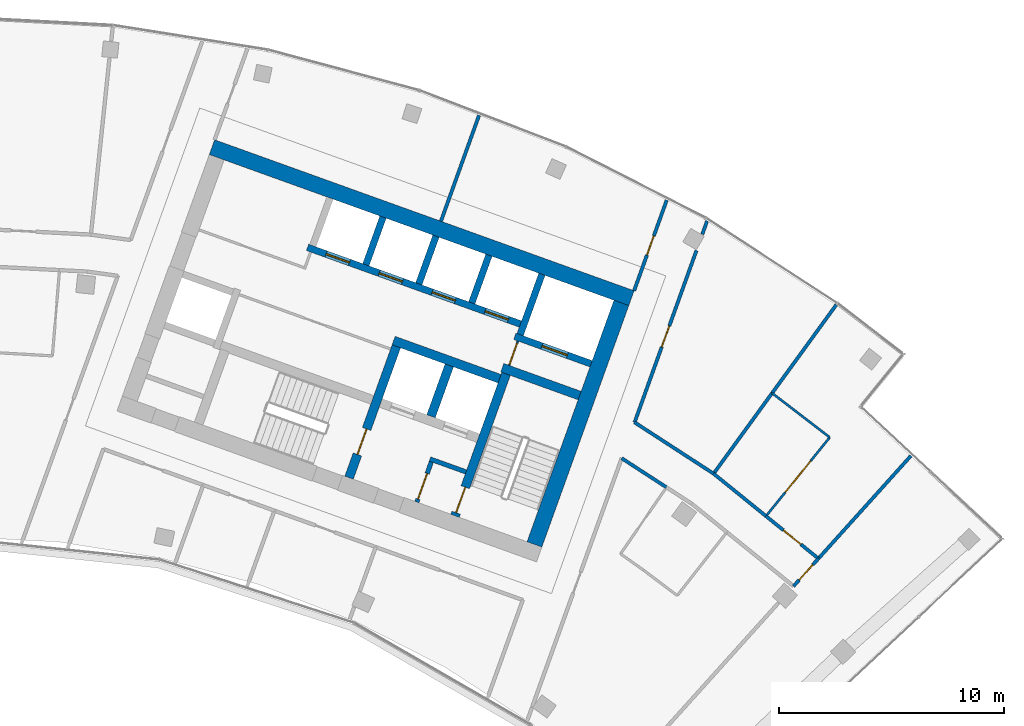
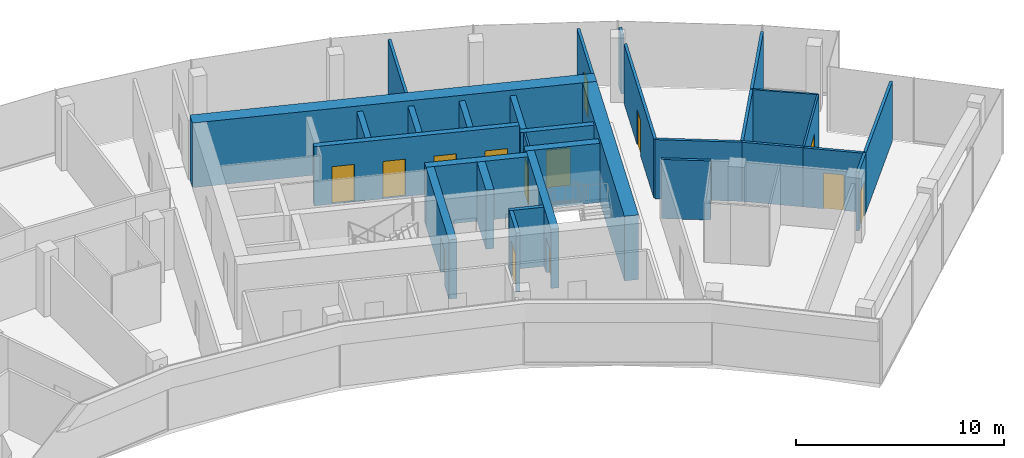
# One storey, part 16 of 18: 30 walls, 14 doors, 14 openings.
"""IFC4 building model written with IfcOpenShell, lengths in metres."""

import ifcopenshell
import ifcopenshell.guid

model = None  # the IFC model being written
_history = None  # IfcOwnerHistory: only IFC2X3 demands one
_inside = {}  # id of a spatial element -> (the spatial element, [elements in it])
_under = {}  # id of a project, library or spatial element -> (it, [spatial elements below it])
_declared = {}  # id of a project -> (the project, [libraries it declares])
_typed = {}  # id of a type object -> (the type object, [elements of that type])
_made_of = {}  # id of a material, layer set ... -> (it, [elements and type objects made of it])


def new_model(schema):
    """Start an empty IFC model of exactly this schema.

    Asked for "IFC4X3", IfcOpenShell would pick the latest addendum, in which some entities
    have other attributes; the version numbers below select the first issue.
    IFC2X3 requires an IfcOwnerHistory on every rooted entity: one is made here for all.
    """
    global model, _history
    if schema == "IFC4X3":
        model = ifcopenshell.file(schema_version=(4, 3, 0, 0))
    else:
        model = ifcopenshell.file(schema=schema)
    _inside.clear()
    _under.clear()
    _declared.clear()
    _typed.clear()
    _made_of.clear()
    _history = None
    if model.schema == "IFC2X3":
        org = make("IfcOrganization", Name="unknown")
        user = make(
            "IfcPersonAndOrganization",
            ThePerson=make("IfcPerson", FamilyName="unknown"),
            TheOrganization=org,
        )
        app = make(
            "IfcApplication",
            ApplicationDeveloper=org,
            Version="unknown",
            ApplicationFullName="unknown",
            ApplicationIdentifier="unknown",
        )
        _history = make(
            "IfcOwnerHistory",
            OwningUser=user,
            OwningApplication=app,
            ChangeAction="ADDED",
            CreationDate=0,
        )
    return model


def make(cls, **values):
    """One entity of the class cls with the attributes given. An attribute that is None is left unset."""
    return model.create_entity(
        cls, **{name: value for name, value in values.items() if value is not None}
    )


def rooted(cls, **values):
    """An entity with a GlobalId (a new one), such as an element, a storey or a relation."""
    return make(cls, GlobalId=ifcopenshell.guid.new(), OwnerHistory=_history, **values)


def si_unit(unit_type, name, prefix=None):
    """IfcSIUnit, for example si_unit("LENGTHUNIT", "METRE", prefix="MILLI")."""
    return make("IfcSIUnit", UnitType=unit_type, Prefix=prefix, Name=name)


def assignment(units):
    """IfcUnitAssignment: the units of a project."""
    return None if units is None else make("IfcUnitAssignment", Units=units)


def point(xyz):
    """IfcCartesianPoint."""
    return None if xyz is None else make("IfcCartesianPoint", Coordinates=xyz)


def direction(xyz):
    """IfcDirection."""
    return None if xyz is None else make("IfcDirection", DirectionRatios=xyz)


def frame(location, z_axis=None, x_axis=None):
    """IfcAxis2Placement3D, a coordinate frame: its origin and axes. An axis left out is left unset."""
    return make(
        "IfcAxis2Placement3D",
        Location=point(location),
        Axis=direction(z_axis),
        RefDirection=direction(x_axis),
    )


def frame_2d(location, x_axis=None):
    """IfcAxis2Placement2D, a coordinate frame in the plane: its origin and x axis."""
    return make(
        "IfcAxis2Placement2D", Location=point(location), RefDirection=direction(x_axis)
    )


def origin():
    """The frame at (0, 0, 0) with its axes left unset."""
    return frame((0.0, 0.0, 0.0))


def place(relative_to, where):
    """IfcLocalPlacement: puts the frame where relative to a parent placement (None: the world)."""
    return make(
        "IfcLocalPlacement", PlacementRelTo=relative_to, RelativePlacement=where
    )


def context(
    kind, dimensions, precision=None, world=None, true_north=None, identifier=None
):
    """IfcGeometricRepresentationContext, for example the 3D "Model" context."""
    return make(
        "IfcGeometricRepresentationContext",
        ContextIdentifier=identifier,
        ContextType=kind,
        CoordinateSpaceDimension=dimensions,
        Precision=precision,
        WorldCoordinateSystem=world,
        TrueNorth=true_north,
    )


def subcontext(parent, identifier, kind, view, scale=None):
    """IfcGeometricRepresentationSubContext, for example "Body" below "Model"."""
    return make(
        "IfcGeometricRepresentationSubContext",
        ContextIdentifier=identifier,
        ContextType=kind,
        ParentContext=parent,
        TargetScale=scale,
        TargetView=view,
    )


def project(units=None, contexts=None):
    """IfcProject with its units and contexts."""
    return rooted(
        "IfcProject",
        Name="project",
        RepresentationContexts=contexts,
        UnitsInContext=assignment(units),
    )


def spatial(cls, under=None, at=None, **own):
    """A site, building, storey or space (cls), placed at a placement, below another one or the project."""
    s = rooted(cls, ObjectPlacement=at, **own)
    if under is not None:
        _under.setdefault(under.id(), (under, []))[1].append(s)
    return s


def profile(cls, at=None, kind="AREA", **sizes):
    """A parametric profile (cls). Its sizes go by their IFC names, for example OverallWidth=200.0."""
    return make(cls, ProfileType=kind, Position=at, **sizes)


def rectangle(**sizes):
    """IfcRectangleProfileDef."""
    return profile("IfcRectangleProfileDef", **sizes)


def extrude(swept, where, along, depth):
    """IfcExtrudedAreaSolid: the profile swept, set in the frame where, extruded along a direction by depth."""
    return make(
        "IfcExtrudedAreaSolid",
        SweptArea=swept,
        Position=where,
        ExtrudedDirection=direction(along),
        Depth=depth,
    )


def shape(context_of_items, identifier, shape_type, items):
    """IfcShapeRepresentation: the items that make up one representation, for example the "Body"."""
    return make(
        "IfcShapeRepresentation",
        ContextOfItems=context_of_items,
        RepresentationIdentifier=identifier,
        RepresentationType=shape_type,
        Items=items,
    )


def material(Name=None, Category=None):
    """IfcMaterial."""
    return make("IfcMaterial", Name=Name, Category=Category)


def layer(
    of_material, thickness, ventilated=None, Name=None, Category=None, Priority=None
):
    """IfcMaterialLayer: one layer of a wall or slab, of a material (None: an air gap)."""
    return make(
        "IfcMaterialLayer",
        Material=of_material,
        LayerThickness=thickness,
        IsVentilated=ventilated,
        Name=Name,
        Category=Category,
        Priority=Priority,
    )


def layer_set(layers, Name=None):
    """IfcMaterialLayerSet."""
    return make("IfcMaterialLayerSet", MaterialLayers=layers, LayerSetName=Name)


def made_of(thing, what):
    """Note that an element or type object is made of a material, layer set ...; save() writes the relation."""
    if what is not None:
        _made_of.setdefault(what.id(), (what, []))[1].append(thing)
    return thing


def type_object(cls, material=None, **own):
    """A type object (cls), such as IfcWallType, which elements share."""
    return made_of(rooted(cls, **own), material)


def element(
    cls,
    number,
    at=None,
    inside=None,
    cuts=None,
    type_object=None,
    material=None,
    context=None,
    identifier="Body",
    shape_type=None,
    held_by="IfcProductDefinitionShape",
    body=None,
    shapes=None,
    **own,
):
    """One element of the class cls, such as IfcWall. Its Tag is "e" and its number.

    at: its placement. inside: the storey or other place that contains it. cuts: it is an
    opening in that element (IfcRelVoidsElement). A single representation is given by context,
    identifier, shape_type and body (its items); several are given by shapes. held_by: the class
    of the entity that holds the representations. save() writes the other relations.
    """
    e = rooted(cls, Tag="e%d" % number, ObjectPlacement=at, **own)
    if body is not None:
        shapes = [shape(context, identifier, shape_type, body)]
    if shapes is not None:
        e.Representation = make(held_by, Representations=shapes)
    if inside is not None:
        _inside.setdefault(inside.id(), (inside, []))[1].append(e)
    if cuts is not None:
        rooted(
            "IfcRelVoidsElement", RelatingBuildingElement=cuts, RelatedOpeningElement=e
        )
    if type_object is not None:
        _typed.setdefault(type_object.id(), (type_object, []))[1].append(e)
    return made_of(e, material)


def fill(opening, filler):
    """IfcRelFillsElement: the door or window that sits in an opening."""
    return rooted(
        "IfcRelFillsElement",
        RelatingOpeningElement=opening,
        RelatedBuildingElement=filler,
    )


def aggregate(whole, parts):
    """IfcRelAggregates: a whole, such as a stair, and the parts it consists of."""
    return rooted("IfcRelAggregates", RelatingObject=whole, RelatedObjects=parts)


def save(model, path):
    """Write the relations noted so far, then the file.

    IfcRelAggregates (storeys below a building ...), IfcRelContainedInSpatialStructure (elements
    in a storey), IfcRelDefinesByType, IfcRelAssociatesMaterial and IfcRelDeclares: one each for
    every whole, place, type object, material and project.
    """
    for whole, parts in _under.values():
        aggregate(whole, parts)
    for where, things in _inside.values():
        rooted(
            "IfcRelContainedInSpatialStructure",
            RelatedElements=things,
            RelatingStructure=where,
        )
    for kind, things in _typed.values():
        rooted("IfcRelDefinesByType", RelatedObjects=things, RelatingType=kind)
    for what, things in _made_of.values():
        rooted("IfcRelAssociatesMaterial", RelatedObjects=things, RelatingMaterial=what)
    for by, libraries in _declared.values():
        rooted("IfcRelDeclares", RelatingContext=by, RelatedDefinitions=libraries)
    model.write(path)


model = new_model("IFC4")

# Units and contexts
model_context = context("Model", 3, precision=1e-05, world=origin(), true_north=direction((0.0, 1.0)))
body_context = subcontext(model_context, "Body", "Model", "MODEL_VIEW")
ifc_project = project(units=[si_unit("LENGTHUNIT", "METRE"), si_unit("AREAUNIT", "SQUARE_METRE"), si_unit("VOLUMEUNIT", "CUBIC_METRE"), si_unit("PLANEANGLEUNIT", "RADIAN"), si_unit("MASSUNIT", "GRAM", prefix="KILO")], contexts=[model_context])

# Site, building, storey
site_placement = place(None, origin())
site = spatial("IfcSite", under=ifc_project, at=site_placement, CompositionType="ELEMENT")
building_placement = place(site_placement, origin())
building = spatial("IfcBuilding", under=site, at=building_placement, Name="Stone Belt Terrace Tower", CompositionType="ELEMENT")
storey_placement = place(building_placement, frame((0.0, 0.0, 299.800048828125)))
storey = spatial("IfcBuildingStorey", under=building, at=storey_placement, Name="L73", CompositionType="ELEMENT", Elevation=299.800048828125)

# Wall, opening, door
ifc_material_1 = material(Name="Plasterboard partition")
ifc_layer_1 = layer(ifc_material_1, 0.10009765625)
ifc_layer_set_1 = layer_set([ifc_layer_1], Name="Core partition 100")
wall_type_1 = type_object("IfcWallType", Name="Core partition 100", PredefinedType="PARTITIONING", material=ifc_layer_set_1)
wall_1_placement = place(storey_placement, frame((24.555908203125, 51.10400390625, 0.0), z_axis=(0.0, 0.0, 1.0), x_axis=(0.338621735342, 0.94092258999, 0.0)))
wall_1 = element("IfcWall", 1, at=wall_1_placement, inside=storey, type_object=wall_type_1, Name="Core B wall", PredefinedType="PARTITIONING", context=body_context, shape_type="SweptSolid", body=[
    extrude(rectangle(XDim=1.14990234375, YDim=0.10009765625, at=frame_2d((0.574951171875, 0.0))), origin(), (0.0, 0.0, 1.0), 3.47998046875),
])
opening_1_placement = place(wall_1_placement, frame((0.050048828125, 0.0, 0.0)))
opening_1 = element("IfcOpeningElement", 2, at=opening_1_placement, cuts=wall_1, Name="Opening L73-C14", PredefinedType="OPENING", context=body_context, shape_type="SweptSolid", body=[
    extrude(rectangle(XDim=1.0, YDim=2.10009765625, at=frame_2d((0.5, 1.050048828125))), frame((0.0, 0.06005859375, 0.0), z_axis=(0.0, -1.0, 0.0), x_axis=(1.0, 0.0, 0.0)), (0.0, 0.0, 1.0), 0.1201171875),
])
ifc_material_2 = material(Name="Timber door leaf", Category="wood")
door_type_1 = type_object("IfcDoorType", Name="Core room door 1000", OperationType="SINGLE_SWING_LEFT", PredefinedType="DOOR", material=ifc_material_2)
door_1_placement = place(opening_1_placement, origin())
door_1 = element("IfcDoor", 3, at=door_1_placement, inside=storey, type_object=door_type_1, Name="Service lift lobby door core B", OperationType="SINGLE_SWING_RIGHT", OverallHeight=2.10009765625, OverallWidth=1.0, PredefinedType="DOOR", context=body_context, shape_type="SweptSolid", body=[
    extrude(rectangle(XDim=1.0, YDim=2.10009765625, at=frame_2d((0.5, 1.050048828125))), frame((0.0, 0.02490234375, 0.0), z_axis=(0.0, -1.0, 0.0), x_axis=(1.0, 0.0, 0.0)), (0.0, 0.0, 1.0), 0.050048828125),
])
fill(opening_1, door_1)

# Walls
ifc_material_3 = material(Name="Concrete B60", Category="concrete")
ifc_layer_2 = layer(ifc_material_3, 0.699951171875)
ifc_layer_set_2 = layer_set([ifc_layer_2], Name="Core wall 700 B60")
wall_type_2 = type_object("IfcWallType", Name="Core wall 700 B60", PredefinedType="SHEAR", material=ifc_layer_set_2)
wall_2_placement = place(storey_placement, frame((11.35791015625, 60.795654296875, 0.0), z_axis=(0.0, 0.0, 1.0), x_axis=(0.940919787944, -0.33862952124, 0.0)))
element("IfcWall", 4, at=wall_2_placement, inside=storey, type_object=wall_type_2, Name="Core B wall convex L73", PredefinedType="SHEAR", context=body_context, shape_type="SweptSolid", body=[
    extrude(rectangle(XDim=19.7998046875, YDim=0.699951171875, at=frame_2d((9.89990234375, 0.0))), origin(), (0.0, 0.0, 1.0), 3.800048828125),
])
wall_3_placement = place(storey_placement, frame((25.679931640625, 43.153564453125, 0.0), z_axis=(0.0, 0.0, 1.0), x_axis=(0.338625431531, 0.940921259788, 0.0)))
element("IfcWall", 5, at=wall_3_placement, inside=storey, type_object=wall_type_2, Name="Core B wall end_b L73", PredefinedType="SHEAR", context=body_context, shape_type="SweptSolid", body=[
    extrude(rectangle(XDim=11.400146484375, YDim=0.699951171875, at=frame_2d((5.7001953125, 0.0))), origin(), (0.0, 0.0, 1.0), 3.800048828125),
])
ifc_material_4 = material(Name="Concrete B80", Category="concrete")
ifc_layer_3 = layer(ifc_material_4, 0.39990234375)
ifc_layer_set_3 = layer_set([ifc_layer_3], Name="Fire-fighting lift shaft wall 400")
wall_type_3 = type_object("IfcWallType", Name="Fire-fighting lift shaft wall 400", PredefinedType="SHEAR", material=ifc_layer_set_3)
wall_4_placement = place(storey_placement, frame((24.130615234375, 50.512939453125, 0.0), z_axis=(0.0, 0.0, 1.0), x_axis=(-0.94091168377, 0.338652038744, 0.0)))
element("IfcWall", 6, at=wall_4_placement, inside=storey, type_object=wall_type_3, Name="Core B wall", PredefinedType="SHEAR", context=body_context, shape_type="SweptSolid", body=[
    extrude(rectangle(XDim=5.000244140625, YDim=0.39990234375, at=frame_2d((2.5, 0.0))), origin(), (0.0, 0.0, 1.0), 3.47998046875),
])
wall_5_placement = place(storey_placement, frame((21.0859375, 48.845458984375, 0.0), z_axis=(0.0, 0.0, 1.0), x_axis=(0.338629416206, 0.940919825745, 0.0)))
element("IfcWall", 7, at=wall_5_placement, inside=storey, type_object=wall_type_3, Name="Core B wall", PredefinedType="SHEAR", context=body_context, shape_type="SweptSolid", body=[
    extrude(rectangle(XDim=2.400146484375, YDim=0.39990234375, at=frame_2d((1.2001953125, 0.0))), origin(), (0.0, 0.0, 1.0), 3.47998046875),
])

# Wall, opening, door
ifc_layer_4 = layer(ifc_material_4, 0.300048828125)
ifc_layer_set_4 = layer_set([ifc_layer_4], Name="Lift shaft wall 300")
wall_type_4 = type_object("IfcWallType", Name="Lift shaft wall 300", PredefinedType="SHEAR", material=ifc_layer_set_4)
wall_6_placement = place(storey_placement, frame((28.195068359375, 51.17578125, 0.0), z_axis=(0.0, 0.0, 1.0), x_axis=(-0.940901243567, 0.338681044427, 0.0)))
wall_6 = element("IfcWall", 8, at=wall_6_placement, inside=storey, type_object=wall_type_4, Name="Core B wall", PredefinedType="SHEAR", context=body_context, shape_type="SweptSolid", body=[
    extrude(rectangle(XDim=3.599853515625, YDim=0.300048828125, at=frame_2d((1.7998046875, 0.0))), origin(), (0.0, 0.0, 1.0), 3.47998046875),
])
opening_2_placement = place(wall_6_placement, frame((1.1201171875, 0.0, 0.0)))
opening_2 = element("IfcOpeningElement", 9, at=opening_2_placement, cuts=wall_6, Name="Opening L73-LD14", PredefinedType="OPENING", context=body_context, shape_type="SweptSolid", body=[
    extrude(rectangle(XDim=1.199951171875, YDim=2.199951171875, at=frame_2d((0.60009765625, 1.10009765625))), frame((0.0, 0.159912109375, 0.0), z_axis=(0.0, -1.0, 0.0), x_axis=(1.0, 0.0, 0.0)), (0.0, 0.0, 1.0), 0.320068359375),
])
ifc_material_5 = material(Name="Stainless steel door leaf", Category="steel")
door_type_2 = type_object("IfcDoorType", Name="Landing door 1200", OperationType="SLIDING_TO_LEFT", PredefinedType="DOOR", material=ifc_material_5)
door_2_placement = place(opening_2_placement, origin())
door_2 = element("IfcDoor", 10, at=door_2_placement, inside=storey, type_object=door_type_2, Name="Landing door SV1 core B", OperationType="SLIDING_TO_LEFT", OverallHeight=2.199951171875, OverallWidth=1.199951171875, PredefinedType="DOOR", context=body_context, shape_type="SweptSolid", body=[
    extrude(rectangle(XDim=1.199951171875, YDim=2.199951171875, at=frame_2d((0.60009765625, 1.10009765625))), frame((0.0, 0.02490234375, 0.0), z_axis=(0.0, -1.0, 0.0), x_axis=(1.0, 0.0, 0.0)), (0.0, 0.0, 1.0), 0.050048828125),
])
fill(opening_2, door_2)

# Wall
wall_7_placement = place(storey_placement, frame((25.046875, 52.46826171875, 0.0), z_axis=(0.0, 0.0, 1.0), x_axis=(0.338549588058, 0.940948551423, 0.0)))
element("IfcWall", 11, at=wall_7_placement, inside=storey, type_object=wall_type_4, Name="Core B wall", PredefinedType="SHEAR", context=body_context, shape_type="SweptSolid", body=[
    extrude(rectangle(XDim=2.849853515625, YDim=0.300048828125, at=frame_2d((1.4248046875, 0.0))), origin(), (0.0, 0.0, 1.0), 3.47998046875),
])

# Wall, openings, doors
wall_8_placement = place(storey_placement, frame((25.05810546875, 52.9423828125, 0.0), z_axis=(0.0, 0.0, 1.0), x_axis=(-0.940917446785, 0.338636026339, 0.0)))
wall_8 = element("IfcWall", 12, at=wall_8_placement, inside=storey, type_object=wall_type_4, Name="Core B wall", PredefinedType="SHEAR", context=body_context, shape_type="SweptSolid", body=[
    extrude(rectangle(XDim=10.050048828125, YDim=0.300048828125, at=frame_2d((5.02490234375, 0.0))), origin(), (0.0, 0.0, 1.0), 3.47998046875),
])
opening_3_placement = place(wall_8_placement, frame((0.570068359375, 0.0, 0.0)))
opening_3 = element("IfcOpeningElement", 13, at=opening_3_placement, cuts=wall_8, Name="Opening L73-LD08", PredefinedType="OPENING", context=body_context, shape_type="SweptSolid", body=[
    extrude(rectangle(XDim=1.10009765625, YDim=2.199951171875, at=frame_2d((0.550048828125, 1.10009765625))), frame((0.0, 0.159912109375, 0.0), z_axis=(0.0, -1.0, 0.0), x_axis=(1.0, 0.0, 0.0)), (0.0, 0.0, 1.0), 0.320068359375),
])
opening_4_placement = place(wall_8_placement, frame((3.070068359375, 0.0, 0.0)))
opening_4 = element("IfcOpeningElement", 14, at=opening_4_placement, cuts=wall_8, Name="Opening L73-LD09", PredefinedType="OPENING", context=body_context, shape_type="SweptSolid", body=[
    extrude(rectangle(XDim=1.10009765625, YDim=2.199951171875, at=frame_2d((0.550048828125, 1.10009765625))), frame((0.0, 0.159912109375, 0.0), z_axis=(0.0, -1.0, 0.0), x_axis=(1.0, 0.0, 0.0)), (0.0, 0.0, 1.0), 0.320068359375),
])
opening_5_placement = place(wall_8_placement, frame((5.570068359375, 0.0, 0.0)))
opening_5 = element("IfcOpeningElement", 15, at=opening_5_placement, cuts=wall_8, Name="Opening L73-LD10", PredefinedType="OPENING", context=body_context, shape_type="SweptSolid", body=[
    extrude(rectangle(XDim=1.10009765625, YDim=2.199951171875, at=frame_2d((0.550048828125, 1.10009765625))), frame((0.0, 0.159912109375, 0.0), z_axis=(0.0, -1.0, 0.0), x_axis=(1.0, 0.0, 0.0)), (0.0, 0.0, 1.0), 0.320068359375),
])
opening_6_placement = place(wall_8_placement, frame((8.070068359375, 0.0, 0.0)))
opening_6 = element("IfcOpeningElement", 16, at=opening_6_placement, cuts=wall_8, Name="Opening L73-LD11", PredefinedType="OPENING", context=body_context, shape_type="SweptSolid", body=[
    extrude(rectangle(XDim=1.10009765625, YDim=2.199951171875, at=frame_2d((0.550048828125, 1.10009765625))), frame((0.0, 0.159912109375, 0.0), z_axis=(0.0, -1.0, 0.0), x_axis=(1.0, 0.0, 0.0)), (0.0, 0.0, 1.0), 0.320068359375),
])
door_type_3 = type_object("IfcDoorType", Name="Landing door 1100", OperationType="SLIDING_TO_LEFT", PredefinedType="DOOR", material=ifc_material_5)
door_3_placement = place(opening_3_placement, origin())
door_3 = element("IfcDoor", 17, at=door_3_placement, inside=storey, type_object=door_type_3, Name="Landing door HR1 core B", OperationType="SLIDING_TO_LEFT", OverallHeight=2.199951171875, OverallWidth=1.10009765625, PredefinedType="DOOR", context=body_context, shape_type="SweptSolid", body=[
    extrude(rectangle(XDim=1.10009765625, YDim=2.199951171875, at=frame_2d((0.550048828125, 1.10009765625))), frame((0.0, 0.02490234375, 0.0), z_axis=(0.0, -1.0, 0.0), x_axis=(1.0, 0.0, 0.0)), (0.0, 0.0, 1.0), 0.050048828125),
])
fill(opening_3, door_3)
door_4_placement = place(opening_4_placement, origin())
door_4 = element("IfcDoor", 18, at=door_4_placement, inside=storey, type_object=door_type_3, Name="Landing door HR2 core B", OperationType="SLIDING_TO_LEFT", OverallHeight=2.199951171875, OverallWidth=1.10009765625, PredefinedType="DOOR", context=body_context, shape_type="SweptSolid", body=[
    extrude(rectangle(XDim=1.10009765625, YDim=2.199951171875, at=frame_2d((0.550048828125, 1.10009765625))), frame((0.0, 0.02490234375, 0.0), z_axis=(0.0, -1.0, 0.0), x_axis=(1.0, 0.0, 0.0)), (0.0, 0.0, 1.0), 0.050048828125),
])
fill(opening_4, door_4)
door_5_placement = place(opening_5_placement, origin())
door_5 = element("IfcDoor", 19, at=door_5_placement, inside=storey, type_object=door_type_3, Name="Landing door HR3 core B", OperationType="SLIDING_TO_LEFT", OverallHeight=2.199951171875, OverallWidth=1.10009765625, PredefinedType="DOOR", context=body_context, shape_type="SweptSolid", body=[
    extrude(rectangle(XDim=1.10009765625, YDim=2.199951171875, at=frame_2d((0.550048828125, 1.10009765625))), frame((0.0, 0.02490234375, 0.0), z_axis=(0.0, -1.0, 0.0), x_axis=(1.0, 0.0, 0.0)), (0.0, 0.0, 1.0), 0.050048828125),
])
fill(opening_5, door_5)
door_6_placement = place(opening_6_placement, origin())
door_6 = element("IfcDoor", 20, at=door_6_placement, inside=storey, type_object=door_type_3, Name="Landing door HR4 core B", OperationType="SLIDING_TO_LEFT", OverallHeight=2.199951171875, OverallWidth=1.10009765625, PredefinedType="DOOR", context=body_context, shape_type="SweptSolid", body=[
    extrude(rectangle(XDim=1.10009765625, YDim=2.199951171875, at=frame_2d((0.550048828125, 1.10009765625))), frame((0.0, 0.02490234375, 0.0), z_axis=(0.0, -1.0, 0.0), x_axis=(1.0, 0.0, 0.0)), (0.0, 0.0, 1.0), 0.050048828125),
])
fill(opening_6, door_6)

# Walls
wall_9_placement = place(storey_placement, frame((22.897705078125, 53.87939453125, 0.0), z_axis=(0.0, 0.0, 1.0), x_axis=(0.338535034312, 0.940953787677, 0.0)))
element("IfcWall", 21, at=wall_9_placement, inside=storey, type_object=wall_type_4, Name="Core B wall", PredefinedType="SHEAR", context=body_context, shape_type="SweptSolid", body=[
    extrude(rectangle(XDim=2.25, YDim=0.300048828125, at=frame_2d((1.125, 0.0))), origin(), (0.0, 0.0, 1.0), 3.47998046875),
])
wall_10_placement = place(storey_placement, frame((20.54541015625, 54.72607421875, 0.0), z_axis=(0.0, 0.0, 1.0), x_axis=(0.338569601369, 0.940941350472, 0.0)))
element("IfcWall", 22, at=wall_10_placement, inside=storey, type_object=wall_type_4, Name="Core B wall", PredefinedType="SHEAR", context=body_context, shape_type="SweptSolid", body=[
    extrude(rectangle(XDim=2.249755859375, YDim=0.300048828125, at=frame_2d((1.125, 0.0))), origin(), (0.0, 0.0, 1.0), 3.47998046875),
])
wall_11_placement = place(storey_placement, frame((18.193115234375, 55.572509765625, 0.0), z_axis=(0.0, 0.0, 1.0), x_axis=(0.338535034312, 0.940953787677, 0.0)))
element("IfcWall", 23, at=wall_11_placement, inside=storey, type_object=wall_type_4, Name="Core B wall", PredefinedType="SHEAR", context=body_context, shape_type="SweptSolid", body=[
    extrude(rectangle(XDim=2.25, YDim=0.300048828125, at=frame_2d((1.125, 0.0))), origin(), (0.0, 0.0, 1.0), 3.47998046875),
])

# Wall, opening, door
ifc_material_6 = material(Name="Gypsum board partition")
ifc_layer_5 = layer(ifc_material_6, 0.10009765625)
ifc_layer_set_5 = layer_set([ifc_layer_5], Name="PARTITION 100")
wall_type_5 = type_object("IfcWallType", Name="PARTITION 100", PredefinedType="PARTITIONING", material=ifc_layer_set_5)
wall_12_placement = place(storey_placement, frame((35.964111328125, 44.410888671875, 0.0), z_axis=(0.0, 0.0, 1.0), x_axis=(0.629177935628, 0.777261297968, 0.0)))
wall_12 = element("IfcWall", 24, at=wall_12_placement, inside=storey, type_object=wall_type_5, Name="L73/wall/i083", PredefinedType="PARTITIONING", context=body_context, shape_type="SweptSolid", body=[
    extrude(rectangle(XDim=4.499267578125, YDim=0.10009765625, at=frame_2d((2.24951171875, 0.0))), origin(), (0.0, 0.0, 1.0), 3.47998046875),
])
opening_7_placement = place(wall_12_placement, frame((1.349609375, 0.0, 0.0)))
opening_7 = element("IfcOpeningElement", 25, at=opening_7_placement, cuts=wall_12, Name="Opening D-E5-26", PredefinedType="OPENING", context=body_context, shape_type="SweptSolid", body=[
    extrude(rectangle(XDim=1.800048828125, YDim=2.10009765625, at=frame_2d((0.89990234375, 1.050048828125))), frame((0.0, 0.06005859375, 0.0), z_axis=(0.0, -1.0, 0.0), x_axis=(1.0, 0.0, 0.0)), (0.0, 0.0, 1.0), 0.1201171875),
])
door_type_4 = type_object("IfcDoorType", Name="DOUBLE DOOR 1800 X 2100", OperationType="DOUBLE_DOOR_SINGLE_SWING", PredefinedType="DOOR", material=ifc_material_2)
door_7_placement = place(opening_7_placement, origin())
door_7 = element("IfcDoor", 26, at=door_7_placement, inside=storey, type_object=door_type_4, Name="L73/door/i26", OperationType="DOUBLE_DOOR_SINGLE_SWING", OverallHeight=2.10009765625, OverallWidth=1.800048828125, PredefinedType="DOOR", context=body_context, shape_type="SweptSolid", body=[
    extrude(rectangle(XDim=1.800048828125, YDim=2.10009765625, at=frame_2d((0.89990234375, 1.050048828125))), frame((0.0, 0.02490234375, 0.0), z_axis=(0.0, -1.0, 0.0), x_axis=(1.0, 0.0, 0.0)), (0.0, 0.0, 1.0), 0.050048828125),
])
fill(opening_7, door_7)

# Wall
wall_13_placement = place(storey_placement, frame((38.794921875, 47.907958984375, 0.0), z_axis=(0.0, 0.0, 1.0), x_axis=(-0.793222644021, 0.608931717857, 0.0)))
element("IfcWall", 27, at=wall_13_placement, inside=storey, type_object=wall_type_5, Name="L73/wall/i084", PredefinedType="PARTITIONING", context=body_context, shape_type="SweptSolid", body=[
    extrude(rectangle(XDim=3.22705078125, YDim=0.10009765625, at=frame_2d((1.613525390625, 0.0))), origin(), (0.0, 0.0, 1.0), 3.47998046875),
])

# Wall, opening, door
ifc_layer_6 = layer(ifc_material_6, 0.14990234375)
ifc_layer_set_6 = layer_set([ifc_layer_6], Name="PARTITION 150 EI 60")
wall_type_6 = type_object("IfcWallType", Name="PARTITION 150 EI 60", PredefinedType="PARTITIONING", material=ifc_layer_set_6)
wall_14_placement = place(storey_placement, frame((30.10595703125, 54.419921875, 0.0), z_axis=(0.0, 0.0, 1.0), x_axis=(0.338580264222, 0.940937513695, 0.0)))
wall_14 = element("IfcWall", 28, at=wall_14_placement, inside=storey, type_object=wall_type_6, Name="L73/wall/i028", PredefinedType="PARTITIONING", context=body_context, shape_type="SweptSolid", body=[
    extrude(rectangle(XDim=4.285400390625, YDim=0.14990234375, at=frame_2d((2.142578125, 0.0))), origin(), (0.0, 0.0, 1.0), 3.47998046875),
])
opening_8_placement = place(wall_14_placement, frame((1.692626953125, 0.0, 0.0)))
opening_8 = element("IfcOpeningElement", 29, at=opening_8_placement, cuts=wall_14, Name="Opening D-E5-12", PredefinedType="OPENING", context=body_context, shape_type="SweptSolid", body=[
    extrude(rectangle(XDim=0.89990234375, YDim=2.10009765625, at=frame_2d((0.449951171875, 1.050048828125))), frame((0.0, 0.0849609375, 0.0), z_axis=(0.0, -1.0, 0.0), x_axis=(1.0, 0.0, 0.0)), (0.0, 0.0, 1.0), 0.169921875),
])
door_type_5 = type_object("IfcDoorType", Name="OFFICE DOOR 900 X 2100", OperationType="NOTDEFINED", PredefinedType="DOOR", material=ifc_material_2)
door_8_placement = place(opening_8_placement, origin())
door_8 = element("IfcDoor", 30, at=door_8_placement, inside=storey, type_object=door_type_5, Name="L73/door/i12", OperationType="SINGLE_SWING_RIGHT", OverallHeight=2.10009765625, OverallWidth=0.89990234375, PredefinedType="DOOR", context=body_context, shape_type="SweptSolid", body=[
    extrude(rectangle(XDim=0.89990234375, YDim=2.10009765625, at=frame_2d((0.449951171875, 1.050048828125))), frame((0.0, 0.02490234375, 0.0), z_axis=(0.0, -1.0, 0.0), x_axis=(1.0, 0.0, 0.0)), (0.0, 0.0, 1.0), 0.050048828125),
])
fill(opening_8, door_8)

# Wall
wall_15_placement = place(storey_placement, frame((33.348876953125, 57.523193359375, 0.0), z_axis=(0.0, 0.0, 1.0), x_axis=(-0.338733145318, -0.94088248802, 0.0)))
element("IfcWall", 31, at=wall_15_placement, inside=storey, type_object=wall_type_6, Name="L73/wall/i031", PredefinedType="PARTITIONING", context=body_context, shape_type="SweptSolid", body=[
    extrude(rectangle(XDim=0.632080078125, YDim=0.14990234375, at=frame_2d((0.31591796875, 0.0))), origin(), (0.0, 0.0, 1.0), 3.47998046875),
])

# Wall, opening, door
wall_16_placement = place(storey_placement, frame((32.875244140625, 56.20703125, 0.0), z_axis=(0.0, 0.0, 1.0), x_axis=(-0.338638537247, -0.940916543106, 0.0)))
wall_16 = element("IfcWall", 32, at=wall_16_placement, inside=storey, type_object=wall_type_6, Name="L73/wall/i032", PredefinedType="PARTITIONING", context=body_context, shape_type="SweptSolid", body=[
    extrude(rectangle(XDim=8.11865234375, YDim=0.14990234375, at=frame_2d((4.059326171875, 0.0))), origin(), (0.0, 0.0, 1.0), 3.47998046875),
])
opening_9_placement = place(wall_16_placement, frame((3.559326171875, 0.0, 0.0)))
opening_9 = element("IfcOpeningElement", 33, at=opening_9_placement, cuts=wall_16, Name="Opening D-E5-24", PredefinedType="OPENING", context=body_context, shape_type="SweptSolid", body=[
    extrude(rectangle(XDim=1.0, YDim=2.10009765625, at=frame_2d((0.5, 1.050048828125))), frame((0.0, 0.0849609375, 0.0), z_axis=(0.0, -1.0, 0.0), x_axis=(1.0, 0.0, 0.0)), (0.0, 0.0, 1.0), 0.169921875),
])
ifc_material_7 = material(Name="Timber fire door leaf", Category="wood")
door_type_6 = type_object("IfcDoorType", Name="TENANCY ENTRANCE DOOR 1000 X 2100", OperationType="NOTDEFINED", PredefinedType="DOOR", material=ifc_material_7)
door_9_placement = place(opening_9_placement, origin())
door_9 = element("IfcDoor", 34, at=door_9_placement, inside=storey, type_object=door_type_6, Name="L73/door/i24", OperationType="SINGLE_SWING_RIGHT", OverallHeight=2.10009765625, OverallWidth=1.0, PredefinedType="DOOR", context=body_context, shape_type="SweptSolid", body=[
    extrude(rectangle(XDim=1.0, YDim=2.10009765625, at=frame_2d((0.5, 1.050048828125))), frame((0.0, 0.02490234375, 0.0), z_axis=(0.0, -1.0, 0.0), x_axis=(1.0, 0.0, 0.0)), (0.0, 0.0, 1.0), 0.050048828125),
])
fill(opening_9, door_9)

# Wall
wall_17_placement = place(storey_placement, frame((23.222900390625, 62.218994140625, 0.0), z_axis=(0.0, 0.0, 1.0), x_axis=(-0.33852260732, -0.94095825855, 0.0)))
element("IfcWall", 35, at=wall_17_placement, inside=storey, type_object=wall_type_6, Name="L73/wall/i041", PredefinedType="PARTITIONING", context=body_context, shape_type="SweptSolid", body=[
    extrude(rectangle(XDim=5.006591796875, YDim=0.14990234375, at=frame_2d((2.50341796875, 0.0))), origin(), (0.0, 0.0, 1.0), 3.47998046875),
])

# Wall, opening, door
wall_18_placement = place(storey_placement, frame((38.294921875, 42.530029296875, 0.0), z_axis=(0.0, 0.0, 1.0), x_axis=(-0.669037778615, -0.743228397456, 0.0)))
wall_18 = element("IfcWall", 36, at=wall_18_placement, inside=storey, type_object=wall_type_6, Name="L73/wall/i067", PredefinedType="PARTITIONING", context=body_context, shape_type="SweptSolid", body=[
    extrude(rectangle(XDim=1.661865234375, YDim=0.14990234375, at=frame_2d((0.8310546875, 0.0))), origin(), (0.0, 0.0, 1.0), 3.47998046875),
])
opening_10_placement = place(wall_18_placement, frame((0.380859375, 0.0, 0.0)))
opening_10 = element("IfcOpeningElement", 37, at=opening_10_placement, cuts=wall_18, Name="Opening D-E5-21", PredefinedType="OPENING", context=body_context, shape_type="SweptSolid", body=[
    extrude(rectangle(XDim=0.89990234375, YDim=2.10009765625, at=frame_2d((0.449951171875, 1.050048828125))), frame((0.0, 0.0849609375, 0.0), z_axis=(0.0, -1.0, 0.0), x_axis=(1.0, 0.0, 0.0)), (0.0, 0.0, 1.0), 0.169921875),
])
door_10_placement = place(opening_10_placement, origin())
door_10 = element("IfcDoor", 38, at=door_10_placement, inside=storey, type_object=door_type_5, Name="L73/door/i21", OperationType="SINGLE_SWING_RIGHT", OverallHeight=2.10009765625, OverallWidth=0.89990234375, PredefinedType="DOOR", context=body_context, shape_type="SweptSolid", body=[
    extrude(rectangle(XDim=0.89990234375, YDim=2.10009765625, at=frame_2d((0.449951171875, 1.050048828125))), frame((0.0, 0.02490234375, 0.0), z_axis=(0.0, -1.0, 0.0), x_axis=(1.0, 0.0, 0.0)), (0.0, 0.0, 1.0), 0.050048828125),
])
fill(opening_10, door_10)

# Walls
wall_19_placement = place(storey_placement, frame((38.287109375, 42.52099609375, 0.0), z_axis=(0.0, 0.0, 1.0), x_axis=(0.669070076375, 0.743199322457, 0.0)))
element("IfcWall", 39, at=wall_19_placement, inside=storey, type_object=wall_type_6, Name="L73/wall/i069", PredefinedType="PARTITIONING", context=body_context, shape_type="SweptSolid", body=[
    extrude(rectangle(XDim=6.1455078125, YDim=0.14990234375, at=frame_2d((3.07275390625, 0.0))), origin(), (0.0, 0.0, 1.0), 3.47998046875),
])
wall_20_placement = place(storey_placement, frame((31.549072265625, 45.68603515625, 0.0), z_axis=(0.0, 0.0, 1.0), x_axis=(-0.838687509275, 0.544612946767, 0.0)))
element("IfcWall", 40, at=wall_20_placement, inside=storey, type_object=wall_type_6, Name="L73/wall/i070", PredefinedType="PARTITIONING", context=body_context, shape_type="SweptSolid", body=[
    extrude(rectangle(XDim=2.377685546875, YDim=0.14990234375, at=frame_2d((1.18896484375, 0.0))), origin(), (0.0, 0.0, 1.0), 3.47998046875),
])
wall_21_placement = place(storey_placement, frame((30.1279296875, 48.573974609375, 0.0), z_axis=(0.0, 0.0, 1.0), x_axis=(0.838679571288, -0.544625170832, 0.0)))
element("IfcWall", 41, at=wall_21_placement, inside=storey, type_object=wall_type_6, Name="L73/wall/i074", PredefinedType="PARTITIONING", context=body_context, shape_type="SweptSolid", body=[
    extrude(rectangle(XDim=4.182861328125, YDim=0.14990234375, at=frame_2d((2.09130859375, 0.0))), origin(), (0.0, 0.0, 1.0), 3.47998046875),
])

# Wall, opening, door
wall_22_placement = place(storey_placement, frame((35.958984375, 44.4140625, 0.0), z_axis=(0.0, 0.0, 1.0), x_axis=(0.777188024259, -0.629268444265, 0.0)))
wall_22 = element("IfcWall", 42, at=wall_22_placement, inside=storey, type_object=wall_type_6, Name="L73/wall/i075", PredefinedType="PARTITIONING", context=body_context, shape_type="SweptSolid", body=[
    extrude(rectangle(XDim=3.00048828125, YDim=0.14990234375, at=frame_2d((1.500244140625, 0.0))), origin(), (0.0, 0.0, 1.0), 3.47998046875),
])
opening_11_placement = place(wall_22_placement, frame((1.000244140625, 0.0, 0.0)))
opening_11 = element("IfcOpeningElement", 43, at=opening_11_placement, cuts=wall_22, Name="Opening D-E5-25", PredefinedType="OPENING", context=body_context, shape_type="SweptSolid", body=[
    extrude(rectangle(XDim=1.0, YDim=2.10009765625, at=frame_2d((0.5, 1.050048828125))), frame((0.0, 0.0849609375, 0.0), z_axis=(0.0, -1.0, 0.0), x_axis=(1.0, 0.0, 0.0)), (0.0, 0.0, 1.0), 0.169921875),
])
door_11_placement = place(opening_11_placement, origin())
door_11 = element("IfcDoor", 44, at=door_11_placement, inside=storey, type_object=door_type_6, Name="L73/door/i25", OperationType="SINGLE_SWING_RIGHT", OverallHeight=2.10009765625, OverallWidth=1.0, PredefinedType="DOOR", context=body_context, shape_type="SweptSolid", body=[
    extrude(rectangle(XDim=1.0, YDim=2.10009765625, at=frame_2d((0.5, 1.050048828125))), frame((0.0, 0.02490234375, 0.0), z_axis=(0.0, -1.0, 0.0), x_axis=(1.0, 0.0, 0.0)), (0.0, 0.0, 1.0), 0.050048828125),
])
fill(opening_11, door_11)

# Walls
wall_23_placement = place(storey_placement, frame((33.635986328125, 46.2958984375, 0.0), z_axis=(0.0, 0.0, 1.0), x_axis=(0.777068653144, -0.629415846878, 0.0)))
element("IfcWall", 45, at=wall_23_placement, inside=storey, type_object=wall_type_6, Name="L73/wall/i076", PredefinedType="PARTITIONING", context=body_context, shape_type="SweptSolid", body=[
    extrude(rectangle(XDim=3.0009765625, YDim=0.14990234375, at=frame_2d((1.50048828125, 0.0))), origin(), (0.0, 0.0, 1.0), 3.47998046875),
])
wall_24_placement = place(storey_placement, frame((39.087890625, 53.7998046875, 0.0), z_axis=(0.0, 0.0, 1.0), x_axis=(-0.587819200651, -0.808992328361, 0.0)))
element("IfcWall", 46, at=wall_24_placement, inside=storey, type_object=wall_type_6, Name="L73/wall/i081", PredefinedType="PARTITIONING", context=body_context, shape_type="SweptSolid", body=[
    extrude(rectangle(XDim=4.860107421875, YDim=0.14990234375, at=frame_2d((2.43017578125, 0.0))), origin(), (0.0, 0.0, 1.0), 3.47998046875),
])
wall_25_placement = place(storey_placement, frame((36.238037109375, 49.8779296875, 0.0), z_axis=(0.0, 0.0, 1.0), x_axis=(-0.587719131072, -0.809065030126, 0.0)))
element("IfcWall", 47, at=wall_25_placement, inside=storey, type_object=wall_type_6, Name="L73/wall/i082", PredefinedType="PARTITIONING", context=body_context, shape_type="SweptSolid", body=[
    extrude(rectangle(XDim=4.427490234375, YDim=0.14990234375, at=frame_2d((2.2138671875, 0.0))), origin(), (0.0, 0.0, 1.0), 3.47998046875),
])
ifc_material_8 = material(Name="Concrete masonry block", Category="masonry")
ifc_layer_7 = layer(ifc_material_8, 0.199951171875)
ifc_layer_set_7 = layer_set([ifc_layer_7], Name="Rated lobby wall 200")
wall_type_7 = type_object("IfcWallType", Name="Rated lobby wall 200", PredefinedType="PARTITIONING", material=ifc_layer_set_7)
wall_26_placement = place(storey_placement, frame((22.640625, 46.373046875, 0.0), z_axis=(0.0, 0.0, 1.0), x_axis=(-0.940966110313, 0.338500781747, 0.0)))
element("IfcWall", 48, at=wall_26_placement, inside=storey, type_object=wall_type_7, Name="Core B wall", PredefinedType="PARTITIONING", context=body_context, shape_type="SweptSolid", body=[
    extrude(rectangle(XDim=1.699951171875, YDim=0.199951171875, at=frame_2d((0.85009765625, 0.0))), origin(), (0.0, 0.0, 1.0), 3.47998046875),
])

# Wall, opening, door
wall_27_placement = place(storey_placement, frame((20.4580078125, 45.032958984375, 0.0), z_axis=(0.0, 0.0, 1.0), x_axis=(0.338573865316, 0.940939816208, 0.0)))
wall_27 = element("IfcWall", 49, at=wall_27_placement, inside=storey, type_object=wall_type_7, Name="Core B wall", PredefinedType="PARTITIONING", context=body_context, shape_type="SweptSolid", body=[
    extrude(rectangle(XDim=1.900146484375, YDim=0.199951171875, at=frame_2d((0.9501953125, 0.0))), origin(), (0.0, 0.0, 1.0), 3.47998046875),
])
opening_12_placement = place(wall_27_placement, frame((0.14990234375, 0.0, 0.0)))
opening_12 = element("IfcOpeningElement", 50, at=opening_12_placement, cuts=wall_27, Name="Opening L73-C17", PredefinedType="OPENING", context=body_context, shape_type="SweptSolid", body=[
    extrude(rectangle(XDim=1.199951171875, YDim=2.10009765625, at=frame_2d((0.60009765625, 1.050048828125))), frame((0.0, 0.10986328125, 0.0), z_axis=(0.0, -1.0, 0.0), x_axis=(1.0, 0.0, 0.0)), (0.0, 0.0, 1.0), 0.219970703125),
])
ifc_material_9 = material(Name="Steel door leaf", Category="steel")
door_type_7 = type_object("IfcDoorType", Name="Stair door 1200", OperationType="SINGLE_SWING_LEFT", PredefinedType="DOOR", material=ifc_material_9)
door_12_placement = place(opening_12_placement, origin())
door_12 = element("IfcDoor", 51, at=door_12_placement, inside=storey, type_object=door_type_7, Name="Stair airlock door core B", OperationType="SINGLE_SWING_RIGHT", OverallHeight=2.10009765625, OverallWidth=1.199951171875, PredefinedType="DOOR", context=body_context, shape_type="SweptSolid", body=[
    extrude(rectangle(XDim=1.199951171875, YDim=2.10009765625, at=frame_2d((0.60009765625, 1.050048828125))), frame((0.0, 0.02490234375, 0.0), z_axis=(0.0, -1.0, 0.0), x_axis=(1.0, 0.0, 0.0)), (0.0, 0.0, 1.0), 0.050048828125),
])
fill(opening_12, door_12)

# Wall
ifc_layer_8 = layer(ifc_material_4, 0.39990234375)
ifc_layer_set_8 = layer_set([ifc_layer_8], Name="Stair enclosure wall 400")
wall_type_8 = type_object("IfcWallType", Name="Stair enclosure wall 400", PredefinedType="SHEAR", material=ifc_layer_set_8)
wall_28_placement = place(storey_placement, frame((27.687255859375, 49.764404296875, 0.0), z_axis=(0.0, 0.0, 1.0), x_axis=(-0.940918954884, 0.338631835981, 0.0)))
element("IfcWall", 52, at=wall_28_placement, inside=storey, type_object=wall_type_8, Name="Core B wall", PredefinedType="SHEAR", context=body_context, shape_type="SweptSolid", body=[
    extrude(rectangle(XDim=3.650146484375, YDim=0.39990234375, at=frame_2d((1.8251953125, 0.0))), origin(), (0.0, 0.0, 1.0), 3.47998046875),
])

# Wall, opening, door
wall_29_placement = place(storey_placement, frame((22.151611328125, 44.42333984375, 0.0), z_axis=(0.0, 0.0, 1.0), x_axis=(0.338625272931, 0.940921316866, 0.0)))
wall_29 = element("IfcWall", 53, at=wall_29_placement, inside=storey, type_object=wall_type_8, Name="Core B wall", PredefinedType="SHEAR", context=body_context, shape_type="SweptSolid", body=[
    extrude(rectangle(XDim=6.699951171875, YDim=0.39990234375, at=frame_2d((3.35009765625, 0.0))), origin(), (0.0, 0.0, 1.0), 3.47998046875),
])
opening_13_placement = place(wall_29_placement, frame((0.14990234375, 0.0, 0.0)))
opening_13 = element("IfcOpeningElement", 54, at=opening_13_placement, cuts=wall_29, Name="Opening L73-C16", PredefinedType="OPENING", context=body_context, shape_type="SweptSolid", body=[
    extrude(rectangle(XDim=1.199951171875, YDim=2.10009765625, at=frame_2d((0.60009765625, 1.050048828125))), frame((0.0, 0.2099609375, 0.0), z_axis=(0.0, -1.0, 0.0), x_axis=(1.0, 0.0, 0.0)), (0.0, 0.0, 1.0), 0.419921875),
])
door_13_placement = place(opening_13_placement, origin())
door_13 = element("IfcDoor", 55, at=door_13_placement, inside=storey, type_object=door_type_7, Name="Stair 1 door core B", OperationType="SINGLE_SWING_RIGHT", OverallHeight=2.10009765625, OverallWidth=1.199951171875, PredefinedType="DOOR", context=body_context, shape_type="SweptSolid", body=[
    extrude(rectangle(XDim=1.199951171875, YDim=2.10009765625, at=frame_2d((0.60009765625, 1.050048828125))), frame((0.0, 0.02490234375, 0.0), z_axis=(0.0, -1.0, 0.0), x_axis=(1.0, 0.0, 0.0)), (0.0, 0.0, 1.0), 0.050048828125),
])
fill(opening_13, door_13)

wall_30_placement = place(storey_placement, frame((17.447021484375, 46.116455078125, 0.0), z_axis=(0.0, 0.0, 1.0), x_axis=(0.33860791464, 0.940927563707, 0.0)))
wall_30 = element("IfcWall", 56, at=wall_30_placement, inside=storey, type_object=wall_type_8, Name="Core B wall", PredefinedType="SHEAR", context=body_context, shape_type="SweptSolid", body=[
    extrude(rectangle(XDim=6.199951171875, YDim=0.39990234375, at=frame_2d((3.10009765625, 0.0))), origin(), (0.0, 0.0, 1.0), 3.47998046875),
])
opening_14_placement = place(wall_30_placement, frame((1.10009765625, 0.0, 0.0)))
opening_14 = element("IfcOpeningElement", 57, at=opening_14_placement, cuts=wall_30, Name="Opening L73-C19", PredefinedType="OPENING", context=body_context, shape_type="SweptSolid", body=[
    extrude(rectangle(XDim=1.199951171875, YDim=2.10009765625, at=frame_2d((0.60009765625, 1.050048828125))), frame((0.0, 0.2099609375, 0.0), z_axis=(0.0, -1.0, 0.0), x_axis=(1.0, 0.0, 0.0)), (0.0, 0.0, 1.0), 0.419921875),
])
door_14_placement = place(opening_14_placement, origin())
door_14 = element("IfcDoor", 58, at=door_14_placement, inside=storey, type_object=door_type_7, Name="Stair 2 door core B", OperationType="SINGLE_SWING_RIGHT", OverallHeight=2.10009765625, OverallWidth=1.199951171875, PredefinedType="DOOR", context=body_context, shape_type="SweptSolid", body=[
    extrude(rectangle(XDim=1.199951171875, YDim=2.10009765625, at=frame_2d((0.60009765625, 1.050048828125))), frame((0.0, 0.02490234375, 0.0), z_axis=(0.0, -1.0, 0.0), x_axis=(1.0, 0.0, 0.0)), (0.0, 0.0, 1.0), 0.050048828125),
])
fill(opening_14, door_14)

save(model, "model.ifc")
